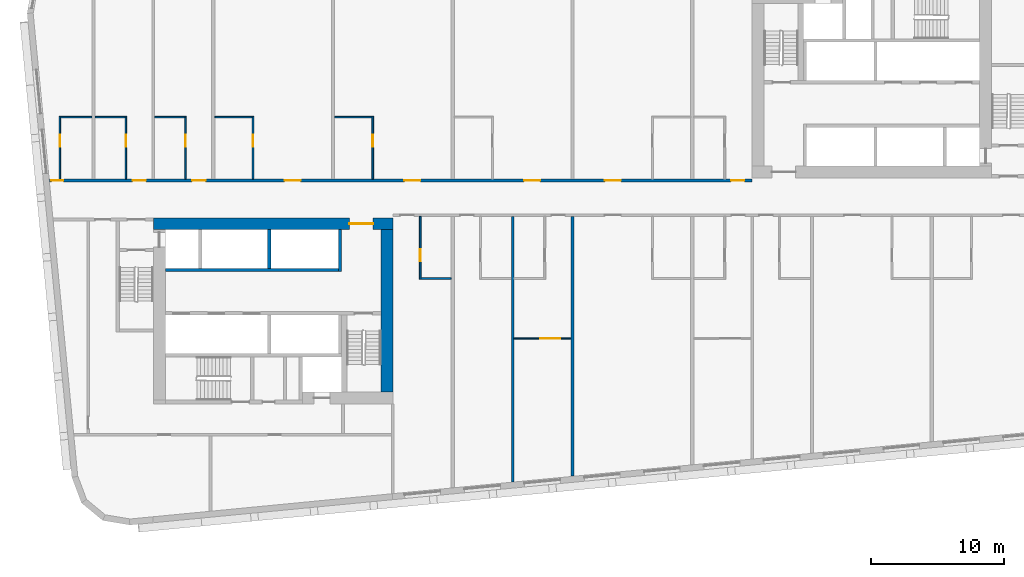
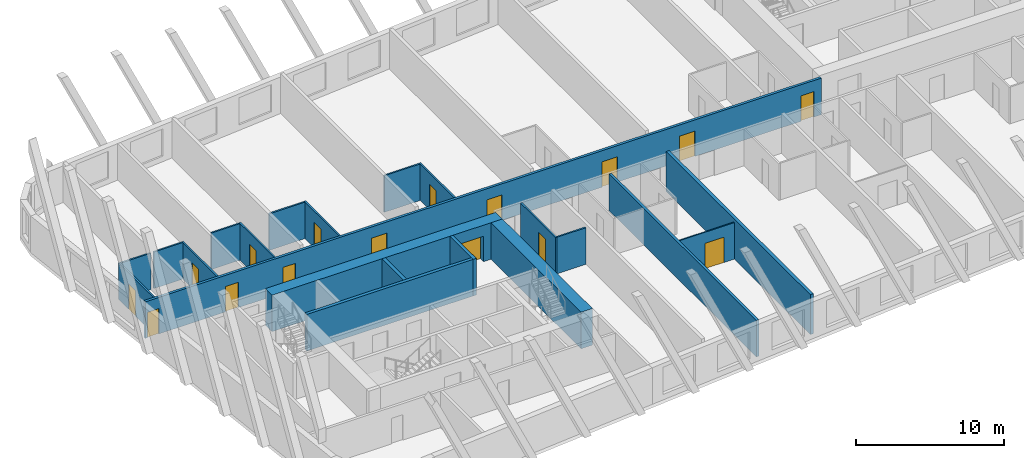
# One storey, part 3 of 13: 21 walls, 16 doors, 16 openings.
"""IFC4 building model written with IfcOpenShell, lengths in metres."""

from ifc_helpers import new_model, si_unit, direction, frame, frame_2d, origin, place, context, subcontext, project, spatial, rectangle, extrude, material, layer, layer_set, type_object, element, fill, save


model = new_model("IFC4")

# Units and contexts
model_context = context("Model", 3, precision=1e-05, world=origin(), true_north=direction((0.0, 1.0)))
body_context = subcontext(model_context, "Body", "Model", "MODEL_VIEW")
ifc_project = project(units=[si_unit("LENGTHUNIT", "METRE"), si_unit("AREAUNIT", "SQUARE_METRE"), si_unit("VOLUMEUNIT", "CUBIC_METRE"), si_unit("PLANEANGLEUNIT", "RADIAN"), si_unit("MASSUNIT", "GRAM", prefix="KILO")], contexts=[model_context])

# Site, building, storey
site_placement = place(None, origin())
site = spatial("IfcSite", under=ifc_project, at=site_placement, CompositionType="ELEMENT")
building_placement = place(site_placement, origin())
building = spatial("IfcBuilding", under=site, at=building_placement, Name="Kajstack Hotel Tower", CompositionType="ELEMENT")
storey_placement = place(building_placement, frame((0.0, 0.0, 110.800048828125)))
storey = spatial("IfcBuildingStorey", under=building, at=storey_placement, Name="L23", CompositionType="ELEMENT", Elevation=110.800048828125)

# Wall, opening, door
ifc_material_1 = material(Name="Concrete C60/75", Category="concrete")
ifc_layer_1 = layer(ifc_material_1, 0.89990234375)
ifc_layer_set_1 = layer_set([ifc_layer_1], Name="Core wall 900")
wall_type_1 = type_object("IfcWallType", Name="Core wall 900", PredefinedType="SHEAR", material=ifc_layer_set_1)
wall_1_placement = place(storey_placement, frame((-31.5, -1.949951171875, 0.0), z_axis=(0.0, 0.0, 1.0), x_axis=(1.0, 0.0, 0.0)))
wall_1 = element("IfcWall", 1, at=wall_1_placement, inside=storey, type_object=wall_type_1, Name="Core wall W RN", PredefinedType="SHEAR", context=body_context, shape_type="SweptSolid", body=[
    extrude(rectangle(XDim=18.0, YDim=0.89990234375, at=frame_2d((9.0, 0.0))), origin(), (0.0, 0.0, 1.0), 3.02001953125),
])
opening_1_placement = place(wall_1_placement, frame((14.72509765625, 0.0, 0.0)))
opening_1 = element("IfcOpeningElement", 2, at=opening_1_placement, cuts=wall_1, Name="Opening 23W06", PredefinedType="OPENING", context=body_context, shape_type="SweptSolid", body=[
    extrude(rectangle(XDim=1.800048828125, YDim=2.10009765625, at=frame_2d((0.89990234375, 1.050048828125))), frame((0.0, 0.4599609375, 0.0), z_axis=(0.0, -1.0, 0.0), x_axis=(1.0, 0.0, 0.0)), (0.0, 0.0, 1.0), 0.919921875),
])
ifc_material_2 = material(Name="Glazed steel frame, fire-rated glass", Category="steel")
door_type_1 = type_object("IfcDoorType", Name="Lobby double door 1800", OperationType="DOUBLE_DOOR_DOUBLE_SWING", PredefinedType="DOOR", material=ifc_material_2)
door_1_placement = place(opening_1_placement, origin())
door_1 = element("IfcDoor", 3, at=door_1_placement, inside=storey, type_object=door_type_1, Name="Door 23W06", OperationType="DOUBLE_DOOR_DOUBLE_SWING", OverallHeight=2.10009765625, OverallWidth=1.800048828125, PredefinedType="DOOR", context=body_context, shape_type="SweptSolid", body=[
    extrude(rectangle(XDim=1.800048828125, YDim=2.10009765625, at=frame_2d((0.89990234375, 1.050048828125))), frame((0.0, 0.02490234375, 0.0), z_axis=(0.0, -1.0, 0.0), x_axis=(1.0, 0.0, 0.0)), (0.0, 0.0, 1.0), 0.050048828125),
])
fill(opening_1, door_1)

# Wall
wall_2_placement = place(storey_placement, frame((-13.949951171875, -14.60009765625, 0.0), z_axis=(0.0, 0.0, 1.0), x_axis=(0.0, 1.0, 0.0)))
element("IfcWall", 4, at=wall_2_placement, inside=storey, type_object=wall_type_1, Name="Core wall W RE", PredefinedType="SHEAR", context=body_context, shape_type="SweptSolid", body=[
    extrude(rectangle(XDim=12.2001953125, YDim=0.89990234375, at=frame_2d((6.10009765625, 0.0))), origin(), (0.0, 0.0, 1.0), 3.02001953125),
])

# Wall, openings, doors
ifc_material_3 = material(Name="Gypsum board on steel studs, mineral wool", Category="steel")
ifc_layer_2 = layer(ifc_material_3, 0.199951171875)
ifc_layer_set_2 = layer_set([ifc_layer_2], Name="Corridor wall 200")
wall_type_2 = type_object("IfcWallType", Name="Corridor wall 200", PredefinedType="PARTITIONING", material=ifc_layer_set_2)
wall_3_placement = place(storey_placement, frame((-39.31591796875, 1.300048828125, 0.0), z_axis=(0.0, 0.0, 1.0), x_axis=(1.0, 0.0, 0.0)))
wall_3 = element("IfcWall", 5, at=wall_3_placement, inside=storey, type_object=wall_type_2, Name="G-wall-L23-003", PredefinedType="PARTITIONING", context=body_context, shape_type="SweptSolid", body=[
    extrude(rectangle(XDim=52.81591796875, YDim=0.199951171875, at=frame_2d((26.407958984375, 0.0))), origin(), (0.0, 0.0, 1.0), 3.02001953125),
])
opening_2_placement = place(wall_3_placement, frame((0.14990234375, 0.0, 0.0)))
opening_2 = element("IfcOpeningElement", 6, at=opening_2_placement, cuts=wall_3, Name="Opening 23001", PredefinedType="OPENING", context=body_context, shape_type="SweptSolid", body=[
    extrude(rectangle(XDim=0.89990234375, YDim=2.10009765625, at=frame_2d((0.449951171875, 1.050048828125))), frame((0.0, 0.10986328125, 0.0), z_axis=(0.0, -1.0, 0.0), x_axis=(1.0, 0.0, 0.0)), (0.0, 0.0, 1.0), 0.219970703125),
])
opening_3_placement = place(wall_3_placement, frame((6.26611328125, 0.0, 0.0)))
opening_3 = element("IfcOpeningElement", 7, at=opening_3_placement, cuts=wall_3, Name="Opening 23003", PredefinedType="OPENING", context=body_context, shape_type="SweptSolid", body=[
    extrude(rectangle(XDim=1.0, YDim=2.10009765625, at=frame_2d((0.5, 1.050048828125))), frame((0.0, 0.10986328125, 0.0), z_axis=(0.0, -1.0, 0.0), x_axis=(1.0, 0.0, 0.0)), (0.0, 0.0, 1.0), 0.219970703125),
])
opening_4_placement = place(wall_3_placement, frame((10.740966796875, 0.0, 0.0)))
opening_4 = element("IfcOpeningElement", 8, at=opening_4_placement, cuts=wall_3, Name="Opening 23005", PredefinedType="OPENING", context=body_context, shape_type="SweptSolid", body=[
    extrude(rectangle(XDim=1.0, YDim=2.10009765625, at=frame_2d((0.5, 1.050048828125))), frame((0.0, 0.10986328125, 0.0), z_axis=(0.0, -1.0, 0.0), x_axis=(1.0, 0.0, 0.0)), (0.0, 0.0, 1.0), 0.219970703125),
])
opening_5_placement = place(wall_3_placement, frame((17.677978515625, 0.0, 0.0)))
opening_5 = element("IfcOpeningElement", 9, at=opening_5_placement, cuts=wall_3, Name="Opening 23007", PredefinedType="OPENING", context=body_context, shape_type="SweptSolid", body=[
    extrude(rectangle(XDim=1.199951171875, YDim=2.10009765625, at=frame_2d((0.60009765625, 1.050048828125))), frame((0.0, 0.10986328125, 0.0), z_axis=(0.0, -1.0, 0.0), x_axis=(1.0, 0.0, 0.0)), (0.0, 0.0, 1.0), 0.219970703125),
])
opening_6_placement = place(wall_3_placement, frame((26.677978515625, 0.0, 0.0)))
opening_6 = element("IfcOpeningElement", 10, at=opening_6_placement, cuts=wall_3, Name="Opening 23009", PredefinedType="OPENING", context=body_context, shape_type="SweptSolid", body=[
    extrude(rectangle(XDim=1.199951171875, YDim=2.10009765625, at=frame_2d((0.60009765625, 1.050048828125))), frame((0.0, 0.10986328125, 0.0), z_axis=(0.0, -1.0, 0.0), x_axis=(1.0, 0.0, 0.0)), (0.0, 0.0, 1.0), 0.219970703125),
])
opening_7_placement = place(wall_3_placement, frame((35.677978515625, 0.0, 0.0)))
opening_7 = element("IfcOpeningElement", 11, at=opening_7_placement, cuts=wall_3, Name="Opening 23011", PredefinedType="OPENING", context=body_context, shape_type="SweptSolid", body=[
    extrude(rectangle(XDim=1.199951171875, YDim=2.10009765625, at=frame_2d((0.60009765625, 1.050048828125))), frame((0.0, 0.10986328125, 0.0), z_axis=(0.0, -1.0, 0.0), x_axis=(1.0, 0.0, 0.0)), (0.0, 0.0, 1.0), 0.219970703125),
])
opening_8_placement = place(wall_3_placement, frame((41.75390625, 0.0, 0.0)))
opening_8 = element("IfcOpeningElement", 12, at=opening_8_placement, cuts=wall_3, Name="Opening 23013", PredefinedType="OPENING", context=body_context, shape_type="SweptSolid", body=[
    extrude(rectangle(XDim=1.199951171875, YDim=2.10009765625, at=frame_2d((0.60009765625, 1.050048828125))), frame((0.0, 0.10986328125, 0.0), z_axis=(0.0, -1.0, 0.0), x_axis=(1.0, 0.0, 0.0)), (0.0, 0.0, 1.0), 0.219970703125),
])
opening_9_placement = place(wall_3_placement, frame((51.240966796875, 0.0, 0.0)))
opening_9 = element("IfcOpeningElement", 13, at=opening_9_placement, cuts=wall_3, Name="Opening 23015", PredefinedType="OPENING", context=body_context, shape_type="SweptSolid", body=[
    extrude(rectangle(XDim=1.0, YDim=2.10009765625, at=frame_2d((0.5, 1.050048828125))), frame((0.0, 0.10986328125, 0.0), z_axis=(0.0, -1.0, 0.0), x_axis=(1.0, 0.0, 0.0)), (0.0, 0.0, 1.0), 0.219970703125),
])
ifc_material_4 = material(Name="Oak veneer on timber core, fire-rated leaf", Category="wood")
door_type_2 = type_object("IfcDoorType", Name="Flat entrance door 1000", OperationType="SINGLE_SWING_LEFT", PredefinedType="DOOR", material=ifc_material_4)
door_2_placement = place(opening_3_placement, origin())
door_2 = element("IfcDoor", 14, at=door_2_placement, inside=storey, type_object=door_type_2, Name="G-door-L23-03", OperationType="SINGLE_SWING_LEFT", OverallHeight=2.10009765625, OverallWidth=1.0, PredefinedType="DOOR", context=body_context, shape_type="SweptSolid", body=[
    extrude(rectangle(XDim=1.0, YDim=2.10009765625, at=frame_2d((0.5, 1.050048828125))), frame((0.0, 0.02490234375, 0.0), z_axis=(0.0, -1.0, 0.0), x_axis=(1.0, 0.0, 0.0)), (0.0, 0.0, 1.0), 0.050048828125),
])
fill(opening_3, door_2)
door_3_placement = place(opening_4_placement, origin())
door_3 = element("IfcDoor", 15, at=door_3_placement, inside=storey, type_object=door_type_2, Name="G-door-L23-05", OperationType="SINGLE_SWING_RIGHT", OverallHeight=2.10009765625, OverallWidth=1.0, PredefinedType="DOOR", context=body_context, shape_type="SweptSolid", body=[
    extrude(rectangle(XDim=1.0, YDim=2.10009765625, at=frame_2d((0.5, 1.050048828125))), frame((0.0, 0.02490234375, 0.0), z_axis=(0.0, -1.0, 0.0), x_axis=(1.0, 0.0, 0.0)), (0.0, 0.0, 1.0), 0.050048828125),
])
fill(opening_4, door_3)
door_4_placement = place(opening_9_placement, origin())
door_4 = element("IfcDoor", 16, at=door_4_placement, inside=storey, type_object=door_type_2, Name="G-door-L23-15", OperationType="SINGLE_SWING_RIGHT", OverallHeight=2.10009765625, OverallWidth=1.0, PredefinedType="DOOR", context=body_context, shape_type="SweptSolid", body=[
    extrude(rectangle(XDim=1.0, YDim=2.10009765625, at=frame_2d((0.5, 1.050048828125))), frame((0.0, 0.02490234375, 0.0), z_axis=(0.0, -1.0, 0.0), x_axis=(1.0, 0.0, 0.0)), (0.0, 0.0, 1.0), 0.050048828125),
])
fill(opening_9, door_4)
door_type_3 = type_object("IfcDoorType", Name="Flat entrance door 1200", OperationType="SINGLE_SWING_LEFT", PredefinedType="DOOR", material=ifc_material_4)
door_5_placement = place(opening_5_placement, origin())
door_5 = element("IfcDoor", 17, at=door_5_placement, inside=storey, type_object=door_type_3, Name="G-door-L23-07", OperationType="SINGLE_SWING_LEFT", OverallHeight=2.10009765625, OverallWidth=1.199951171875, PredefinedType="DOOR", context=body_context, shape_type="SweptSolid", body=[
    extrude(rectangle(XDim=1.199951171875, YDim=2.10009765625, at=frame_2d((0.60009765625, 1.050048828125))), frame((0.0, 0.02490234375, 0.0), z_axis=(0.0, -1.0, 0.0), x_axis=(1.0, 0.0, 0.0)), (0.0, 0.0, 1.0), 0.050048828125),
])
fill(opening_5, door_5)
door_6_placement = place(opening_6_placement, origin())
door_6 = element("IfcDoor", 18, at=door_6_placement, inside=storey, type_object=door_type_3, Name="G-door-L23-09", OperationType="SINGLE_SWING_RIGHT", OverallHeight=2.10009765625, OverallWidth=1.199951171875, PredefinedType="DOOR", context=body_context, shape_type="SweptSolid", body=[
    extrude(rectangle(XDim=1.199951171875, YDim=2.10009765625, at=frame_2d((0.60009765625, 1.050048828125))), frame((0.0, 0.02490234375, 0.0), z_axis=(0.0, -1.0, 0.0), x_axis=(1.0, 0.0, 0.0)), (0.0, 0.0, 1.0), 0.050048828125),
])
fill(opening_6, door_6)
door_7_placement = place(opening_7_placement, origin())
door_7 = element("IfcDoor", 19, at=door_7_placement, inside=storey, type_object=door_type_3, Name="G-door-L23-11", OperationType="SINGLE_SWING_RIGHT", OverallHeight=2.10009765625, OverallWidth=1.199951171875, PredefinedType="DOOR", context=body_context, shape_type="SweptSolid", body=[
    extrude(rectangle(XDim=1.199951171875, YDim=2.10009765625, at=frame_2d((0.60009765625, 1.050048828125))), frame((0.0, 0.02490234375, 0.0), z_axis=(0.0, -1.0, 0.0), x_axis=(1.0, 0.0, 0.0)), (0.0, 0.0, 1.0), 0.050048828125),
])
fill(opening_7, door_7)
door_8_placement = place(opening_8_placement, origin())
door_8 = element("IfcDoor", 20, at=door_8_placement, inside=storey, type_object=door_type_3, Name="G-door-L23-13", OperationType="SINGLE_SWING_LEFT", OverallHeight=2.10009765625, OverallWidth=1.199951171875, PredefinedType="DOOR", context=body_context, shape_type="SweptSolid", body=[
    extrude(rectangle(XDim=1.199951171875, YDim=2.10009765625, at=frame_2d((0.60009765625, 1.050048828125))), frame((0.0, 0.02490234375, 0.0), z_axis=(0.0, -1.0, 0.0), x_axis=(1.0, 0.0, 0.0)), (0.0, 0.0, 1.0), 0.050048828125),
])
fill(opening_8, door_8)
ifc_material_5 = material(Name="Painted timber door leaf", Category="wood")
door_type_4 = type_object("IfcDoorType", Name="Room door 900", OperationType="SINGLE_SWING_LEFT", PredefinedType="DOOR", material=ifc_material_5)
door_9_placement = place(opening_2_placement, origin())
door_9 = element("IfcDoor", 21, at=door_9_placement, inside=storey, type_object=door_type_4, Name="G-door-L23-01", OperationType="SINGLE_SWING_LEFT", OverallHeight=2.10009765625, OverallWidth=0.89990234375, PredefinedType="DOOR", context=body_context, shape_type="SweptSolid", body=[
    extrude(rectangle(XDim=0.89990234375, YDim=2.10009765625, at=frame_2d((0.449951171875, 1.050048828125))), frame((0.0, 0.02490234375, 0.0), z_axis=(0.0, -1.0, 0.0), x_axis=(1.0, 0.0, 0.0)), (0.0, 0.0, 1.0), 0.050048828125),
])
fill(opening_2, door_9)

# Wall
ifc_material_6 = material(Name="Twin-frame gypsum board on steel studs, mineral wool", Category="steel")
ifc_layer_3 = layer(ifc_material_6, 0.199951171875)
ifc_layer_set_3 = layer_set([ifc_layer_3], Name="Demising wall 200")
wall_type_3 = type_object("IfcWallType", Name="Demising wall 200", PredefinedType="PARTITIONING", material=ifc_layer_set_3)
wall_4_placement = place(storey_placement, frame((-4.5, -21.365966796875, 0.0), z_axis=(0.0, 0.0, 1.0), x_axis=(0.0, 1.0, 0.0)))
element("IfcWall", 22, at=wall_4_placement, inside=storey, type_object=wall_type_3, Name="G-wall-L23-024", PredefinedType="PARTITIONING", context=body_context, shape_type="SweptSolid", body=[
    extrude(rectangle(XDim=19.966064453125, YDim=0.199951171875, at=frame_2d((9.98291015625, 0.0))), origin(), (0.0, 0.0, 1.0), 3.02001953125),
])

# Wall, opening, door
ifc_material_7 = material(Name="Gypsum board and tiled backer on steel studs", Category="steel")
ifc_layer_4 = layer(ifc_material_7, 0.125)
ifc_layer_set_4 = layer_set([ifc_layer_4], Name="En-suite wall 125")
wall_type_4 = type_object("IfcWallType", Name="En-suite wall 125", PredefinedType="PARTITIONING", material=ifc_layer_set_4)
wall_5_placement = place(storey_placement, frame((-38.51904296875, 1.39990234375, 0.0), z_axis=(0.0, 0.0, 1.0), x_axis=(0.0, 1.0, 0.0)))
wall_5 = element("IfcWall", 23, at=wall_5_placement, inside=storey, type_object=wall_type_4, Name="G-wall-L23-004", PredefinedType="PARTITIONING", context=body_context, shape_type="SweptSolid", body=[
    extrude(rectangle(XDim=4.72509765625, YDim=0.125, at=frame_2d((2.362548828125, 0.0))), origin(), (0.0, 0.0, 1.0), 3.02001953125),
])
opening_10_placement = place(wall_5_placement, frame((2.449951171875, 0.0, 0.0)))
opening_10 = element("IfcOpeningElement", 24, at=opening_10_placement, cuts=wall_5, Name="Opening 23002", PredefinedType="OPENING", context=body_context, shape_type="SweptSolid", body=[
    extrude(rectangle(XDim=0.89990234375, YDim=2.10009765625, at=frame_2d((0.449951171875, 1.050048828125))), frame((0.0, 0.072509765625, 0.0), z_axis=(0.0, -1.0, 0.0), x_axis=(1.0, 0.0, 0.0)), (0.0, 0.0, 1.0), 0.14501953125),
])
door_10_placement = place(opening_10_placement, origin())
door_10 = element("IfcDoor", 25, at=door_10_placement, inside=storey, type_object=door_type_4, Name="G-door-L23-02", OperationType="SINGLE_SWING_LEFT", OverallHeight=2.10009765625, OverallWidth=0.89990234375, PredefinedType="DOOR", context=body_context, shape_type="SweptSolid", body=[
    extrude(rectangle(XDim=0.89990234375, YDim=2.10009765625, at=frame_2d((0.449951171875, 1.050048828125))), frame((0.0, 0.02490234375, 0.0), z_axis=(0.0, -1.0, 0.0), x_axis=(1.0, 0.0, 0.0)), (0.0, 0.0, 1.0), 0.050048828125),
])
fill(opening_10, door_10)

# Wall
wall_6_placement = place(storey_placement, frame((-38.45703125, 6.06201171875, 0.0), z_axis=(0.0, 0.0, 1.0), x_axis=(1.0, 0.0, 0.0)))
element("IfcWall", 26, at=wall_6_placement, inside=storey, type_object=wall_type_4, Name="G-wall-L23-005", PredefinedType="PARTITIONING", context=body_context, shape_type="SweptSolid", body=[
    extrude(rectangle(XDim=2.33203125, YDim=0.125, at=frame_2d((1.166015625, 0.0))), origin(), (0.0, 0.0, 1.0), 3.02001953125),
])

# Wall, opening, door
wall_7_placement = place(storey_placement, frame((-33.56201171875, 1.39990234375, 0.0), z_axis=(0.0, 0.0, 1.0), x_axis=(0.0, 1.0, 0.0)))
wall_7 = element("IfcWall", 27, at=wall_7_placement, inside=storey, type_object=wall_type_4, Name="G-wall-L23-007", PredefinedType="PARTITIONING", context=body_context, shape_type="SweptSolid", body=[
    extrude(rectangle(XDim=4.72509765625, YDim=0.125, at=frame_2d((2.362548828125, 0.0))), origin(), (0.0, 0.0, 1.0), 3.02001953125),
])
opening_11_placement = place(wall_7_placement, frame((2.449951171875, 0.0, 0.0)))
opening_11 = element("IfcOpeningElement", 28, at=opening_11_placement, cuts=wall_7, Name="Opening 23004", PredefinedType="OPENING", context=body_context, shape_type="SweptSolid", body=[
    extrude(rectangle(XDim=0.89990234375, YDim=2.10009765625, at=frame_2d((0.449951171875, 1.050048828125))), frame((0.0, 0.072509765625, 0.0), z_axis=(0.0, -1.0, 0.0), x_axis=(1.0, 0.0, 0.0)), (0.0, 0.0, 1.0), 0.14501953125),
])
door_11_placement = place(opening_11_placement, origin())
door_11 = element("IfcDoor", 29, at=door_11_placement, inside=storey, type_object=door_type_4, Name="G-door-L23-04", OperationType="SINGLE_SWING_LEFT", OverallHeight=2.10009765625, OverallWidth=0.89990234375, PredefinedType="DOOR", context=body_context, shape_type="SweptSolid", body=[
    extrude(rectangle(XDim=0.89990234375, YDim=2.10009765625, at=frame_2d((0.449951171875, 1.050048828125))), frame((0.0, 0.02490234375, 0.0), z_axis=(0.0, -1.0, 0.0), x_axis=(1.0, 0.0, 0.0)), (0.0, 0.0, 1.0), 0.050048828125),
])
fill(opening_11, door_11)

# Wall
wall_8_placement = place(storey_placement, frame((-35.875, 6.06201171875, 0.0), z_axis=(0.0, 0.0, 1.0), x_axis=(1.0, 0.0, 0.0)))
element("IfcWall", 30, at=wall_8_placement, inside=storey, type_object=wall_type_4, Name="G-wall-L23-008", PredefinedType="PARTITIONING", context=body_context, shape_type="SweptSolid", body=[
    extrude(rectangle(XDim=2.25, YDim=0.125, at=frame_2d((1.125, 0.0))), origin(), (0.0, 0.0, 1.0), 3.02001953125),
])

# Wall, opening, door
wall_9_placement = place(storey_placement, frame((-29.0869140625, 1.39990234375, 0.0), z_axis=(0.0, 0.0, 1.0), x_axis=(0.0, 1.0, 0.0)))
wall_9 = element("IfcWall", 31, at=wall_9_placement, inside=storey, type_object=wall_type_4, Name="G-wall-L23-009", PredefinedType="PARTITIONING", context=body_context, shape_type="SweptSolid", body=[
    extrude(rectangle(XDim=4.72509765625, YDim=0.125, at=frame_2d((2.362548828125, 0.0))), origin(), (0.0, 0.0, 1.0), 3.02001953125),
])
opening_12_placement = place(wall_9_placement, frame((2.449951171875, 0.0, 0.0)))
opening_12 = element("IfcOpeningElement", 32, at=opening_12_placement, cuts=wall_9, Name="Opening 23006", PredefinedType="OPENING", context=body_context, shape_type="SweptSolid", body=[
    extrude(rectangle(XDim=0.89990234375, YDim=2.10009765625, at=frame_2d((0.449951171875, 1.050048828125))), frame((0.0, 0.072509765625, 0.0), z_axis=(0.0, -1.0, 0.0), x_axis=(1.0, 0.0, 0.0)), (0.0, 0.0, 1.0), 0.14501953125),
])
door_12_placement = place(opening_12_placement, origin())
door_12 = element("IfcDoor", 33, at=door_12_placement, inside=storey, type_object=door_type_4, Name="G-door-L23-06", OperationType="SINGLE_SWING_LEFT", OverallHeight=2.10009765625, OverallWidth=0.89990234375, PredefinedType="DOOR", context=body_context, shape_type="SweptSolid", body=[
    extrude(rectangle(XDim=0.89990234375, YDim=2.10009765625, at=frame_2d((0.449951171875, 1.050048828125))), frame((0.0, 0.02490234375, 0.0), z_axis=(0.0, -1.0, 0.0), x_axis=(1.0, 0.0, 0.0)), (0.0, 0.0, 1.0), 0.050048828125),
])
fill(opening_12, door_12)

# Wall
wall_10_placement = place(storey_placement, frame((-31.39990234375, 6.06201171875, 0.0), z_axis=(0.0, 0.0, 1.0), x_axis=(1.0, 0.0, 0.0)))
element("IfcWall", 34, at=wall_10_placement, inside=storey, type_object=wall_type_4, Name="G-wall-L23-010", PredefinedType="PARTITIONING", context=body_context, shape_type="SweptSolid", body=[
    extrude(rectangle(XDim=2.25, YDim=0.125, at=frame_2d((1.125, 0.0))), origin(), (0.0, 0.0, 1.0), 3.02001953125),
])

# Wall, opening, door
wall_11_placement = place(storey_placement, frame((-24.011962890625, 1.39990234375, 0.0), z_axis=(0.0, 0.0, 1.0), x_axis=(0.0, 1.0, 0.0)))
wall_11 = element("IfcWall", 35, at=wall_11_placement, inside=storey, type_object=wall_type_4, Name="G-wall-L23-011", PredefinedType="PARTITIONING", context=body_context, shape_type="SweptSolid", body=[
    extrude(rectangle(XDim=4.72509765625, YDim=0.125, at=frame_2d((2.362548828125, 0.0))), origin(), (0.0, 0.0, 1.0), 3.02001953125),
])
opening_13_placement = place(wall_11_placement, frame((2.449951171875, 0.0, 0.0)))
opening_13 = element("IfcOpeningElement", 36, at=opening_13_placement, cuts=wall_11, Name="Opening 23008", PredefinedType="OPENING", context=body_context, shape_type="SweptSolid", body=[
    extrude(rectangle(XDim=0.89990234375, YDim=2.10009765625, at=frame_2d((0.449951171875, 1.050048828125))), frame((0.0, 0.072509765625, 0.0), z_axis=(0.0, -1.0, 0.0), x_axis=(1.0, 0.0, 0.0)), (0.0, 0.0, 1.0), 0.14501953125),
])
door_13_placement = place(opening_13_placement, origin())
door_13 = element("IfcDoor", 37, at=door_13_placement, inside=storey, type_object=door_type_4, Name="G-door-L23-08", OperationType="SINGLE_SWING_RIGHT", OverallHeight=2.10009765625, OverallWidth=0.89990234375, PredefinedType="DOOR", context=body_context, shape_type="SweptSolid", body=[
    extrude(rectangle(XDim=0.89990234375, YDim=2.10009765625, at=frame_2d((0.449951171875, 1.050048828125))), frame((0.0, 0.02490234375, 0.0), z_axis=(0.0, -1.0, 0.0), x_axis=(1.0, 0.0, 0.0)), (0.0, 0.0, 1.0), 0.050048828125),
])
fill(opening_13, door_13)

# Wall
wall_12_placement = place(storey_placement, frame((-26.875, 6.06201171875, 0.0), z_axis=(0.0, 0.0, 1.0), x_axis=(1.0, 0.0, 0.0)))
element("IfcWall", 38, at=wall_12_placement, inside=storey, type_object=wall_type_4, Name="G-wall-L23-012", PredefinedType="PARTITIONING", context=body_context, shape_type="SweptSolid", body=[
    extrude(rectangle(XDim=2.800048828125, YDim=0.125, at=frame_2d((1.39990234375, 0.0))), origin(), (0.0, 0.0, 1.0), 3.02001953125),
])

# Wall, opening, door
wall_13_placement = place(storey_placement, frame((-15.011962890625, 1.39990234375, 0.0), z_axis=(0.0, 0.0, 1.0), x_axis=(0.0, 1.0, 0.0)))
wall_13 = element("IfcWall", 39, at=wall_13_placement, inside=storey, type_object=wall_type_4, Name="G-wall-L23-013", PredefinedType="PARTITIONING", context=body_context, shape_type="SweptSolid", body=[
    extrude(rectangle(XDim=4.72509765625, YDim=0.125, at=frame_2d((2.362548828125, 0.0))), origin(), (0.0, 0.0, 1.0), 3.02001953125),
])
opening_14_placement = place(wall_13_placement, frame((2.449951171875, 0.0, 0.0)))
opening_14 = element("IfcOpeningElement", 40, at=opening_14_placement, cuts=wall_13, Name="Opening 23010", PredefinedType="OPENING", context=body_context, shape_type="SweptSolid", body=[
    extrude(rectangle(XDim=0.89990234375, YDim=2.10009765625, at=frame_2d((0.449951171875, 1.050048828125))), frame((0.0, 0.072509765625, 0.0), z_axis=(0.0, -1.0, 0.0), x_axis=(1.0, 0.0, 0.0)), (0.0, 0.0, 1.0), 0.14501953125),
])
door_14_placement = place(opening_14_placement, origin())
door_14 = element("IfcDoor", 41, at=door_14_placement, inside=storey, type_object=door_type_4, Name="G-door-L23-10", OperationType="SINGLE_SWING_RIGHT", OverallHeight=2.10009765625, OverallWidth=0.89990234375, PredefinedType="DOOR", context=body_context, shape_type="SweptSolid", body=[
    extrude(rectangle(XDim=0.89990234375, YDim=2.10009765625, at=frame_2d((0.449951171875, 1.050048828125))), frame((0.0, 0.02490234375, 0.0), z_axis=(0.0, -1.0, 0.0), x_axis=(1.0, 0.0, 0.0)), (0.0, 0.0, 1.0), 0.050048828125),
])
fill(opening_14, door_14)

# Wall
wall_14_placement = place(storey_placement, frame((-17.875, 6.06201171875, 0.0), z_axis=(0.0, 0.0, 1.0), x_axis=(1.0, 0.0, 0.0)))
element("IfcWall", 42, at=wall_14_placement, inside=storey, type_object=wall_type_4, Name="G-wall-L23-014", PredefinedType="PARTITIONING", context=body_context, shape_type="SweptSolid", body=[
    extrude(rectangle(XDim=2.800048828125, YDim=0.125, at=frame_2d((1.39990234375, 0.0))), origin(), (0.0, 0.0, 1.0), 3.02001953125),
])

# Wall, opening, door
wall_15_placement = place(storey_placement, frame((-11.43798828125, -6.125, 0.0), z_axis=(0.0, 0.0, 1.0), x_axis=(0.0, 1.0, 0.0)))
wall_15 = element("IfcWall", 43, at=wall_15_placement, inside=storey, type_object=wall_type_4, Name="G-wall-L23-022", PredefinedType="PARTITIONING", context=body_context, shape_type="SweptSolid", body=[
    extrude(rectangle(XDim=4.72509765625, YDim=0.125, at=frame_2d((2.362548828125, 0.0))), origin(), (0.0, 0.0, 1.0), 3.02001953125),
])
opening_15_placement = place(wall_15_placement, frame((1.375, 0.0, 0.0)))
opening_15 = element("IfcOpeningElement", 44, at=opening_15_placement, cuts=wall_15, Name="Opening 23018", PredefinedType="OPENING", context=body_context, shape_type="SweptSolid", body=[
    extrude(rectangle(XDim=0.89990234375, YDim=2.10009765625, at=frame_2d((0.449951171875, 1.050048828125))), frame((0.0, 0.072509765625, 0.0), z_axis=(0.0, -1.0, 0.0), x_axis=(1.0, 0.0, 0.0)), (0.0, 0.0, 1.0), 0.14501953125),
])
door_15_placement = place(opening_15_placement, origin())
door_15 = element("IfcDoor", 45, at=door_15_placement, inside=storey, type_object=door_type_4, Name="G-door-L23-18", OperationType="SINGLE_SWING_RIGHT", OverallHeight=2.10009765625, OverallWidth=0.89990234375, PredefinedType="DOOR", context=body_context, shape_type="SweptSolid", body=[
    extrude(rectangle(XDim=0.89990234375, YDim=2.10009765625, at=frame_2d((0.449951171875, 1.050048828125))), frame((0.0, 0.02490234375, 0.0), z_axis=(0.0, -1.0, 0.0), x_axis=(1.0, 0.0, 0.0)), (0.0, 0.0, 1.0), 0.050048828125),
])
fill(opening_15, door_15)

# Walls
wall_16_placement = place(storey_placement, frame((-11.375, -6.06201171875, 0.0), z_axis=(0.0, 0.0, 1.0), x_axis=(1.0, 0.0, 0.0)))
element("IfcWall", 46, at=wall_16_placement, inside=storey, type_object=wall_type_4, Name="G-wall-L23-023", PredefinedType="PARTITIONING", context=body_context, shape_type="SweptSolid", body=[
    extrude(rectangle(XDim=2.25, YDim=0.125, at=frame_2d((1.125, 0.0))), origin(), (0.0, 0.0, 1.0), 3.02001953125),
])
ifc_material_8 = material(Name="Concrete C50/60", Category="concrete")
ifc_layer_5 = layer(ifc_material_8, 0.300048828125)
ifc_layer_set_5 = layer_set([ifc_layer_5], Name="Hoistway divider wall 300")
wall_type_5 = type_object("IfcWallType", Name="Hoistway divider wall 300", PredefinedType="SHEAR", material=ifc_layer_set_5)
wall_17_placement = place(storey_placement, frame((-22.77490234375, -5.300048828125, 0.0), z_axis=(0.0, 0.0, 1.0), x_axis=(0.0, 1.0, 0.0)))
element("IfcWall", 47, at=wall_17_placement, inside=storey, type_object=wall_type_5, Name="Core wall W AP2", PredefinedType="SHEAR", context=body_context, shape_type="SweptSolid", body=[
    extrude(rectangle(XDim=2.900146484375, YDim=0.25, at=frame_2d((1.4501953125, 0.0))), origin(), (0.0, 0.0, 1.0), 3.02001953125),
])

# Wall, opening, door
ifc_material_9 = material(Name="Gypsum board on steel studs", Category="steel")
ifc_layer_6 = layer(ifc_material_9, 0.10009765625)
ifc_layer_set_6 = layer_set([ifc_layer_6], Name="Partition 100")
wall_type_6 = type_object("IfcWallType", Name="Partition 100", PredefinedType="PARTITIONING", material=ifc_layer_set_6)
wall_18_placement = place(storey_placement, frame((-4.39990234375, -10.574951171875, 0.0), z_axis=(0.0, 0.0, 1.0), x_axis=(1.0, 0.0, 0.0)))
wall_18 = element("IfcWall", 48, at=wall_18_placement, inside=storey, type_object=wall_type_6, Name="G-wall-L23-029", PredefinedType="PARTITIONING", context=body_context, shape_type="SweptSolid", body=[
    extrude(rectangle(XDim=4.27490234375, YDim=0.10009765625, at=frame_2d((2.137451171875, 0.0))), origin(), (0.0, 0.0, 1.0), 3.02001953125),
])
opening_16_placement = place(wall_18_placement, frame((1.988037109375, 0.0, 0.0)))
opening_16 = element("IfcOpeningElement", 49, at=opening_16_placement, cuts=wall_18, Name="Opening 23023", PredefinedType="OPENING", context=body_context, shape_type="SweptSolid", body=[
    extrude(rectangle(XDim=1.5, YDim=2.10009765625, at=frame_2d((0.75, 1.050048828125))), frame((0.0, 0.06005859375, 0.0), z_axis=(0.0, -1.0, 0.0), x_axis=(1.0, 0.0, 0.0)), (0.0, 0.0, 1.0), 0.1201171875),
])
ifc_material_10 = material(Name="Painted timber door leaves, glazed panels", Category="wood")
door_type_5 = type_object("IfcDoorType", Name="Double door 1500", OperationType="SINGLE_SWING_LEFT", PredefinedType="DOOR", material=ifc_material_10)
door_16_placement = place(opening_16_placement, origin())
door_16 = element("IfcDoor", 50, at=door_16_placement, inside=storey, type_object=door_type_5, Name="G-door-L23-23", OperationType="SINGLE_SWING_RIGHT", OverallHeight=2.10009765625, OverallWidth=1.5, PredefinedType="DOOR", context=body_context, shape_type="SweptSolid", body=[
    extrude(rectangle(XDim=1.5, YDim=2.10009765625, at=frame_2d((0.75, 1.050048828125))), frame((0.0, 0.02490234375, 0.0), z_axis=(0.0, -1.0, 0.0), x_axis=(1.0, 0.0, 0.0)), (0.0, 0.0, 1.0), 0.050048828125),
])
fill(opening_16, door_16)

# Walls
ifc_material_11 = material(Name="Concrete C55/67", Category="concrete")
ifc_layer_7 = layer(ifc_material_11, 0.25)
ifc_layer_set_7 = layer_set([ifc_layer_7], Name="RC cross wall 250 C55/67")
wall_type_7 = type_object("IfcWallType", Name="RC cross wall 250 C55/67", PredefinedType="SHEAR", material=ifc_layer_set_7)
wall_19_placement = place(storey_placement, frame((0.0, -20.910400390625, 0.0), z_axis=(0.0, 0.0, 1.0), x_axis=(0.0, 1.0, 0.0)))
element("IfcWall", 51, at=wall_19_placement, inside=storey, type_object=wall_type_7, Name="S-wall-L23-06", PredefinedType="SHEAR", context=body_context, shape_type="SweptSolid", body=[
    extrude(rectangle(XDim=19.510498046875, YDim=0.25, at=frame_2d((9.75537109375, 0.0))), origin(), (0.0, 0.0, 1.0), 3.300048828125),
])
ifc_layer_8 = layer(ifc_material_8, 0.25)
ifc_layer_set_8 = layer_set([ifc_layer_8], Name="Shaft wall 250")
wall_type_8 = type_object("IfcWallType", Name="Shaft wall 250", PredefinedType="SHEAR", material=ifc_layer_set_8)
wall_20_placement = place(storey_placement, frame((-30.60009765625, -5.425048828125, 0.0), z_axis=(0.0, 0.0, 1.0), x_axis=(1.0, 0.0, 0.0)))
element("IfcWall", 52, at=wall_20_placement, inside=storey, type_object=wall_type_8, Name="Core wall W FA", PredefinedType="SHEAR", context=body_context, shape_type="SweptSolid", body=[
    extrude(rectangle(XDim=13.0, YDim=0.25, at=frame_2d((6.5, 0.0))), origin(), (0.0, 0.0, 1.0), 3.02001953125),
])
wall_21_placement = place(storey_placement, frame((-17.47509765625, -5.550048828125, 0.0), z_axis=(0.0, 0.0, 1.0), x_axis=(0.0, 1.0, 0.0)))
element("IfcWall", 53, at=wall_21_placement, inside=storey, type_object=wall_type_8, Name="Core wall W AE", PredefinedType="SHEAR", context=body_context, shape_type="SweptSolid", body=[
    extrude(rectangle(XDim=3.150146484375, YDim=0.25, at=frame_2d((1.5751953125, 0.0))), origin(), (0.0, 0.0, 1.0), 3.02001953125),
])

save(model, "model.ifc")
